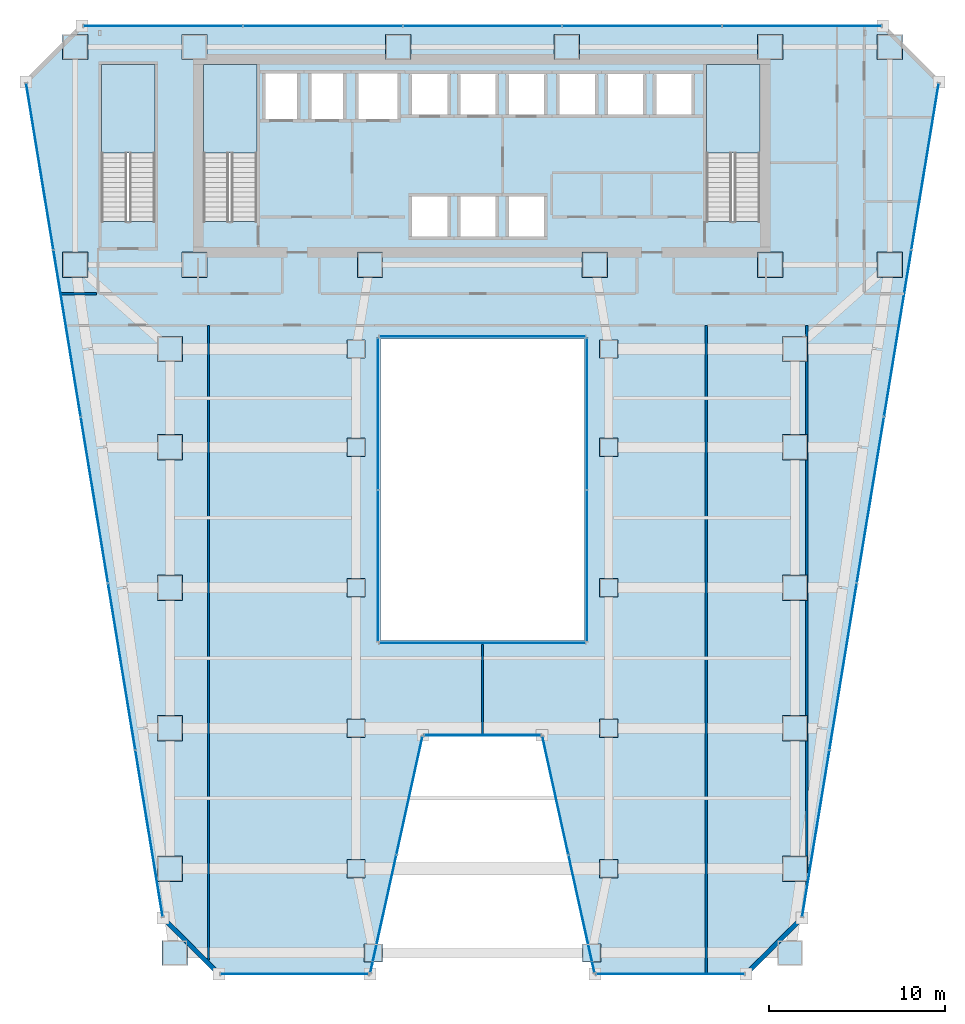
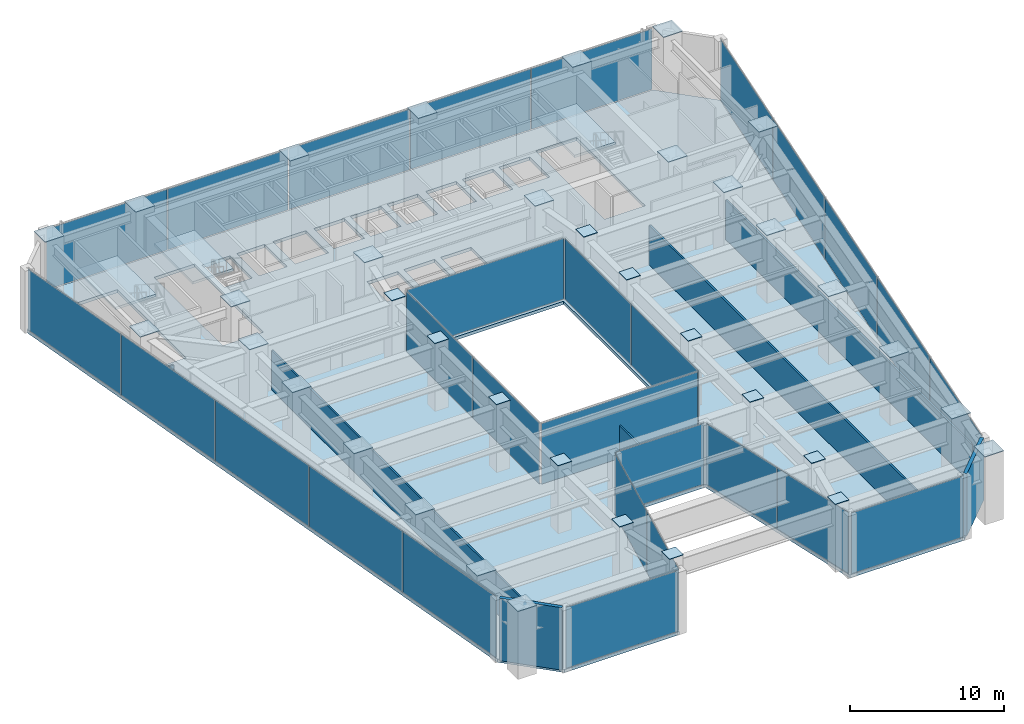
# One storey, part 36 of 42: 64 plates, 7 walls, 4 slabs, 15 elements without a shape of their own.
"""IFC4 building model written with IfcOpenShell, lengths in metres."""

from ifc_helpers import new_model, si_unit, direction, frame, frame_2d, origin, origin_2d, place, context, subcontext, project, spatial, polyline, rectangle, outline, extrude, material, layer, layer_set, type_object, element, aggregate, save


model = new_model("IFC4")

# Units and contexts
model_context = context("Model", 3, precision=1e-05, world=origin(), true_north=direction((0.0, 1.0)))
body_context = subcontext(model_context, "Body", "Model", "MODEL_VIEW")
ifc_project = project(units=[si_unit("LENGTHUNIT", "METRE"), si_unit("AREAUNIT", "SQUARE_METRE"), si_unit("VOLUMEUNIT", "CUBIC_METRE"), si_unit("PLANEANGLEUNIT", "RADIAN"), si_unit("MASSUNIT", "GRAM", prefix="KILO")], contexts=[model_context])

# Site, building, storey
site_placement = place(None, origin())
site = spatial("IfcSite", under=ifc_project, at=site_placement, CompositionType="ELEMENT")
building_placement = place(site_placement, origin())
building = spatial("IfcBuilding", under=site, at=building_placement, Name="Saevonmaru Cultural Tower", CompositionType="ELEMENT")
storey_placement = place(building_placement, frame((0.0, 0.0, 33.0)))
storey = spatial("IfcBuildingStorey", under=building, at=storey_placement, Name="L06", CompositionType="ELEMENT", Elevation=33.0)

# Plates
ifc_material_1 = material(Name="Steel HSA600 (600 MPa)", Category="steel")
ifc_layer_1 = layer(ifc_material_1, 0.0400390625, Name="Steel HSA600 (600 MPa)")
ifc_layer_set_1 = layer_set([ifc_layer_1], Name="Steel HSA600 (600 MPa)")
plate_type_1 = type_object("IfcPlateType", Name="PL-CAP-1000", PredefinedType="USERDEFINED", material=ifc_layer_set_1)
for number, where, z_axis, x_axis, name in (
    (1, (36.219970703125, 3.199951171875, 5.39501953125), (0.0, 0.0, 1.0), (1.0, 0.0, 0.0), "Column head cap plate PC-E2-A L06"),
    (2, (37.199951171875, 8.0, 5.39501953125), (0.0, 0.0, 1.0), (1.0, 0.0, 0.0), "Column head cap plate PC-E2-B L06"),
    (3, (37.199951171875, 16.0, 5.39501953125), (0.0, 0.0, 1.0), (1.0, 0.0, 0.0), "Column head cap plate PC-E2-C L06"),
    (4, (37.199951171875, 24.0, 5.39501953125), (0.0, 0.0, 1.0), (1.0, 0.0, 0.0), "Column head cap plate PC-E2-D L06"),
    (5, (37.199951171875, 32.0, 5.39501953125), (0.0, 0.0, 1.0), (1.0, 0.0, 0.0), "Column head cap plate PC-E2-E L06"),
    (6, (37.199951171875, 37.60009765625, 5.39501953125), (0.0, 0.0, 1.0), (1.0, 0.0, 0.0), "Column head cap plate PC-E2-F L06"),
    (7, (23.780029296875, 3.199951171875, 5.39501953125), (0.0, 0.0, 1.0), (1.0, 0.0, 0.0), "Column head cap plate PC-W2-A L06"),
    (8, (22.800048828125, 8.0, 5.39501953125), (0.0, 0.0, 1.0), (1.0, 0.0, 0.0), "Column head cap plate PC-W2-B L06"),
    (9, (22.800048828125, 16.0, 5.39501953125), (0.0, 0.0, 1.0), (1.0, 0.0, 0.0), "Column head cap plate PC-W2-C L06"),
    (10, (22.800048828125, 24.0, 5.39501953125), (0.0, 0.0, 1.0), (1.0, 0.0, 0.0), "Column head cap plate PC-W2-D L06"),
    (11, (22.800048828125, 32.0, 5.39501953125), (0.0, 0.0, 1.0), (1.0, 0.0, 0.0), "Column head cap plate PC-W2-E L06"),
    (12, (22.800048828125, 37.60009765625, 5.39501953125), (0.0, 0.0, 1.0), (1.0, 0.0, 0.0), "Column head cap plate PC-W2-F L06"),
):
    element("IfcPlate", number, at=place(storey_placement, frame(where, z_axis=z_axis, x_axis=x_axis)), inside=storey, type_object=plate_type_1, Name=name, ObjectType="CAP_PLATE", PredefinedType="USERDEFINED", context=body_context, shape_type="SweptSolid", body=[
        extrude(rectangle(XDim=1.0400390625, YDim=1.0400390625, at=origin_2d()), origin(), (0.0, 0.0, 1.0), 0.0400390625),
    ])
ifc_layer_2 = layer(ifc_material_1, 0.0400390625, Name="Steel HSA600 (600 MPa)")
ifc_layer_set_2 = layer_set([ifc_layer_2], Name="Steel HSA600 (600 MPa)")
plate_type_2 = type_object("IfcPlateType", Name="PL-CAP-1400", PredefinedType="USERDEFINED", material=ifc_layer_set_2)
for number, where, z_axis, x_axis, name in (
    (13, (47.52001953125, 3.199951171875, 5.39501953125), (0.0, 0.0, 1.0), (1.0, 0.0, 0.0), "Column head cap plate PC-E1-A L06"),
    (14, (47.800048828125, 8.0, 5.39501953125), (0.0, 0.0, 1.0), (1.0, 0.0, 0.0), "Column head cap plate PC-E1-B L06"),
    (15, (47.800048828125, 16.0, 5.39501953125), (0.0, 0.0, 1.0), (1.0, 0.0, 0.0), "Column head cap plate PC-E1-C L06"),
    (16, (47.800048828125, 24.0, 5.39501953125), (0.0, 0.0, 1.0), (1.0, 0.0, 0.0), "Column head cap plate PC-E1-D L06"),
    (17, (47.800048828125, 32.0, 5.39501953125), (0.0, 0.0, 1.0), (1.0, 0.0, 0.0), "Column head cap plate PC-E1-E L06"),
    (18, (47.800048828125, 37.60009765625, 5.39501953125), (0.0, 0.0, 1.0), (1.0, 0.0, 0.0), "Column head cap plate PC-E1-F L06"),
    (19, (12.47998046875, 3.199951171875, 5.39501953125), (0.0, 0.0, 1.0), (1.0, 0.0, 0.0), "Column head cap plate PC-W1-A L06"),
    (20, (12.199951171875, 8.0, 5.39501953125), (0.0, 0.0, 1.0), (1.0, 0.0, 0.0), "Column head cap plate PC-W1-B L06"),
    (21, (12.199951171875, 16.0, 5.39501953125), (0.0, 0.0, 1.0), (1.0, 0.0, 0.0), "Column head cap plate PC-W1-C L06"),
    (22, (12.199951171875, 24.0, 5.39501953125), (0.0, 0.0, 1.0), (1.0, 0.0, 0.0), "Column head cap plate PC-W1-D L06"),
    (23, (12.199951171875, 32.0, 5.39501953125), (0.0, 0.0, 1.0), (1.0, 0.0, 0.0), "Column head cap plate PC-W1-E L06"),
    (24, (12.199951171875, 37.60009765625, 5.39501953125), (0.0, 0.0, 1.0), (1.0, 0.0, 0.0), "Column head cap plate PC-W1-F L06"),
    (25, (6.800048828125, 54.800048828125, 5.39501953125), (0.0, 0.0, 1.0), (1.0, 0.0, 0.0), "Column head cap plate TC-N1N L06"),
    (26, (13.60009765625, 54.800048828125, 5.39501953125), (0.0, 0.0, 1.0), (1.0, 0.0, 0.0), "Column head cap plate TC-N2N L06"),
    (27, (25.199951171875, 54.800048828125, 5.39501953125), (0.0, 0.0, 1.0), (1.0, 0.0, 0.0), "Column head cap plate TC-N3N L06"),
    (28, (34.800048828125, 54.800048828125, 5.39501953125), (0.0, 0.0, 1.0), (1.0, 0.0, 0.0), "Column head cap plate TC-N4N L06"),
    (29, (46.39990234375, 54.800048828125, 5.39501953125), (0.0, 0.0, 1.0), (1.0, 0.0, 0.0), "Column head cap plate TC-N5N L06"),
    (30, (53.199951171875, 54.800048828125, 5.39501953125), (0.0, 0.0, 1.0), (1.0, 0.0, 0.0), "Column head cap plate TC-N6N L06"),
    (31, (6.800048828125, 42.39990234375, 5.39501953125), (0.0, 0.0, 1.0), (1.0, 0.0, 0.0), "Column head cap plate TC-S1C L06"),
    (32, (13.60009765625, 42.39990234375, 5.39501953125), (0.0, 0.0, 1.0), (1.0, 0.0, 0.0), "Column head cap plate TC-S2C L06"),
    (33, (23.60009765625, 42.39990234375, 5.39501953125), (0.0, 0.0, 1.0), (1.0, 0.0, 0.0), "Column head cap plate TC-S3C L06"),
    (34, (36.39990234375, 42.39990234375, 5.39501953125), (0.0, 0.0, 1.0), (1.0, 0.0, 0.0), "Column head cap plate TC-S4C L06"),
    (35, (46.39990234375, 42.39990234375, 5.39501953125), (0.0, 0.0, 1.0), (1.0, 0.0, 0.0), "Column head cap plate TC-S5C L06"),
    (36, (53.199951171875, 42.39990234375, 5.39501953125), (0.0, 0.0, 1.0), (1.0, 0.0, 0.0), "Column head cap plate TC-S6C L06"),
):
    element("IfcPlate", number, at=place(storey_placement, frame(where, z_axis=z_axis, x_axis=x_axis)), inside=storey, type_object=plate_type_2, Name=name, ObjectType="CAP_PLATE", PredefinedType="USERDEFINED", context=body_context, shape_type="SweptSolid", body=[
        extrude(rectangle(XDim=1.43994140625, YDim=1.43994140625, at=origin_2d()), origin(), (0.0, 0.0, 1.0), 0.0400390625),
    ])

# Curtain wall, plate
ifc_material_2 = material(Name="Satin Bronze Anodised Aluminium", Category="aluminium")
curtain_wall_type_1 = type_object("IfcCurtainWallType", Name="CW-ATR-GLZ", PredefinedType="NOTDEFINED", material=ifc_material_2)
curtain_wall_1_placement = place(storey_placement, origin())
curtain_wall_1 = element("IfcCurtainWall", 37, at=curtain_wall_1_placement, inside=storey, type_object=curtain_wall_type_1, Name="L06 Vertical Atrium Glazed Smoke Screen 1", PredefinedType="NOTDEFINED")
ifc_material_3 = material(Name="Fire-Rated Laminated Atrium Glass", Category="glass")
ifc_layer_3 = layer(ifc_material_3, 0.031982421875, Name="Fire-Rated Laminated Atrium Glass")
ifc_layer_set_3 = layer_set([ifc_layer_3], Name="Fire-Rated Laminated Atrium Glass")
plate_type_3 = type_object("IfcPlateType", Name="PN-GLZ-ATR-INT", PredefinedType="CURTAIN_PANEL", material=ifc_layer_set_3)
plate_1_placement = place(storey_placement, frame((30.0, 20.85009765625, 0.067138671875), z_axis=(0.0, 0.0, 1.0), x_axis=(1.0, 0.0, 0.0)))
plate_1 = element("IfcPlate", 38, at=plate_1_placement, type_object=plate_type_3, Name="CW-ATR-L06-1 panel 1.1", PredefinedType="CURTAIN_PANEL", context=body_context, shape_type="SweptSolid", body=[
    extrude(rectangle(XDim=11.7109375, YDim=0.031982421875, at=origin_2d()), origin(), (0.0, 0.0, 1.0), 4.81591796875),
])
aggregate(curtain_wall_1, [plate_1])

# Curtain wall, plates
curtain_wall_2_placement = place(storey_placement, origin())
curtain_wall_2 = element("IfcCurtainWall", 39, at=curtain_wall_2_placement, inside=storey, type_object=curtain_wall_type_1, Name="L06 Vertical Atrium Glazed Smoke Screen 2", PredefinedType="NOTDEFINED")
plate_2_placement = place(storey_placement, frame((35.949951171875, 25.2451171875, 0.067138671875), z_axis=(0.0, 0.0, 1.0), x_axis=(0.0, 1.0, 0.0)))
plate_2 = element("IfcPlate", 40, at=plate_2_placement, type_object=plate_type_3, Name="CW-ATR-L06-2 panel 1.1", PredefinedType="CURTAIN_PANEL", context=body_context, shape_type="SweptSolid", body=[
    extrude(rectangle(XDim=8.60107421875, YDim=0.031982421875, at=origin_2d()), origin(), (0.0, 0.0, 1.0), 4.81591796875),
])
plate_3_placement = place(storey_placement, frame((35.949951171875, 33.9150390625, 0.067138671875), z_axis=(0.0, 0.0, 1.0), x_axis=(0.0, 1.0, 0.0)))
plate_3 = element("IfcPlate", 41, at=plate_3_placement, type_object=plate_type_3, Name="CW-ATR-L06-2 panel 2.1", PredefinedType="CURTAIN_PANEL", context=body_context, shape_type="SweptSolid", body=[
    extrude(rectangle(XDim=8.60107421875, YDim=0.031982421875, at=origin_2d()), origin(), (0.0, 0.0, 1.0), 4.81591796875),
])
aggregate(curtain_wall_2, [plate_2, plate_3])

# Curtain wall, plate
curtain_wall_3_placement = place(storey_placement, origin())
curtain_wall_3 = element("IfcCurtainWall", 42, at=curtain_wall_3_placement, inside=storey, type_object=curtain_wall_type_1, Name="L06 Vertical Atrium Glazed Smoke Screen 3", PredefinedType="NOTDEFINED")
plate_4_placement = place(storey_placement, frame((30.0, 38.31005859375, 0.067138671875), z_axis=(0.0, 0.0, 1.0), x_axis=(-1.0, 0.0, 0.0)))
plate_4 = element("IfcPlate", 43, at=plate_4_placement, type_object=plate_type_3, Name="CW-ATR-L06-3 panel 1.1", PredefinedType="CURTAIN_PANEL", context=body_context, shape_type="SweptSolid", body=[
    extrude(rectangle(XDim=11.7109375, YDim=0.031982421875, at=origin_2d()), origin(), (0.0, 0.0, 1.0), 4.81591796875),
])
aggregate(curtain_wall_3, [plate_4])

# Curtain wall, plates
curtain_wall_4_placement = place(storey_placement, origin())
curtain_wall_4 = element("IfcCurtainWall", 44, at=curtain_wall_4_placement, inside=storey, type_object=curtain_wall_type_1, Name="L06 Vertical Atrium Glazed Smoke Screen 4", PredefinedType="NOTDEFINED")
plate_5_placement = place(storey_placement, frame((24.050048828125, 33.9150390625, 0.067138671875), z_axis=(0.0, 0.0, 1.0), x_axis=(0.0, -1.0, 0.0)))
plate_5 = element("IfcPlate", 45, at=plate_5_placement, type_object=plate_type_3, Name="CW-ATR-L06-4 panel 1.1", PredefinedType="CURTAIN_PANEL", context=body_context, shape_type="SweptSolid", body=[
    extrude(rectangle(XDim=8.60107421875, YDim=0.031982421875, at=origin_2d()), origin(), (0.0, 0.0, 1.0), 4.81591796875),
])
plate_6_placement = place(storey_placement, frame((24.050048828125, 25.2451171875, 0.067138671875), z_axis=(0.0, 0.0, 1.0), x_axis=(0.0, -1.0, 0.0)))
plate_6 = element("IfcPlate", 46, at=plate_6_placement, type_object=plate_type_3, Name="CW-ATR-L06-4 panel 2.1", PredefinedType="CURTAIN_PANEL", context=body_context, shape_type="SweptSolid", body=[
    extrude(rectangle(XDim=8.60107421875, YDim=0.031982421875, at=origin_2d()), origin(), (0.0, 0.0, 1.0), 4.81591796875),
])
aggregate(curtain_wall_4, [plate_5, plate_6])

# Curtain wall, plate
curtain_wall_type_2 = type_object("IfcCurtainWallType", Name="CW-SKY-GLZ", PredefinedType="NOTDEFINED", material=ifc_material_2)
curtain_wall_5_placement = place(storey_placement, origin())
curtain_wall_5 = element("IfcCurtainWall", 47, at=curtain_wall_5_placement, inside=storey, type_object=curtain_wall_type_2, Name="L06 Unitised Curtain Wall E2", PredefinedType="NOTDEFINED")
ifc_material_4 = material(Name="Triple Silver Low-E Insulating Glass", Category="glass")
ifc_layer_4 = layer(ifc_material_4, 0.035888671875, Name="Triple Silver Low-E Insulating Glass")
ifc_layer_set_4 = layer_set([ifc_layer_4], Name="Triple Silver Low-E Insulating Glass")
plate_type_4 = type_object("IfcPlateType", Name="PN-GLZ-IGU", PredefinedType="CURTAIN_PANEL", material=ifc_layer_set_4)
plate_7_placement = place(storey_placement, frame((19.300048828125, 2.0, 0.067138671875), z_axis=(0.0, 0.0, 1.0), x_axis=(1.0, 0.0, 0.0)))
plate_7 = element("IfcPlate", 48, at=plate_7_placement, type_object=plate_type_4, Name="CW-TW-L06-E2 panel 1.1", PredefinedType="CURTAIN_PANEL", context=body_context, shape_type="SweptSolid", body=[
    extrude(rectangle(XDim=8.410888671875, YDim=0.035888671875, at=origin_2d()), origin(), (0.0, 0.0, 1.0), 4.81591796875),
])
aggregate(curtain_wall_5, [plate_7])

# Curtain wall, plates
curtain_wall_6_placement = place(storey_placement, origin())
curtain_wall_6 = element("IfcCurtainWall", 49, at=curtain_wall_6_placement, inside=storey, type_object=curtain_wall_type_2, Name="L06 Unitised Curtain Wall E3", PredefinedType="NOTDEFINED")
plate_8_placement = place(storey_placement, frame((24.3564453125, 5.42919921875, 0.067138671875), z_axis=(0.0, 0.0, 1.0), x_axis=(0.215413319953, 0.976522965212, 0.0)))
plate_8 = element("IfcPlate", 50, at=plate_8_placement, type_object=plate_type_4, Name="CW-TW-L06-E3 panel 1.1", PredefinedType="CURTAIN_PANEL", context=body_context, shape_type="SweptSolid", body=[
    extrude(rectangle(XDim=6.83447265625, YDim=0.035888671875, at=origin_2d()), origin(), (0.0, 0.0, 1.0), 4.81591796875),
])
plate_9_placement = place(storey_placement, frame((25.843505859375, 12.170654296875, 0.067138671875), z_axis=(0.0, 0.0, 1.0), x_axis=(0.215413319953, 0.976522965212, 0.0)))
plate_9 = element("IfcPlate", 51, at=plate_9_placement, type_object=plate_type_4, Name="CW-TW-L06-E3 panel 2.1", PredefinedType="CURTAIN_PANEL", context=body_context, shape_type="SweptSolid", body=[
    extrude(rectangle(XDim=6.83447265625, YDim=0.035888671875, at=origin_2d()), origin(), (0.0, 0.0, 1.0), 4.81591796875),
])
aggregate(curtain_wall_6, [plate_8, plate_9])

# Curtain wall, plate
curtain_wall_7_placement = place(storey_placement, origin())
curtain_wall_7 = element("IfcCurtainWall", 52, at=curtain_wall_7_placement, inside=storey, type_object=curtain_wall_type_2, Name="L06 Unitised Curtain Wall E4", PredefinedType="NOTDEFINED")
plate_10_placement = place(storey_placement, frame((30.0, 15.60009765625, 0.067138671875), z_axis=(0.0, 0.0, 1.0), x_axis=(1.0, 0.0, 0.0)))
plate_10 = element("IfcPlate", 53, at=plate_10_placement, type_object=plate_type_4, Name="CW-TW-L06-E4 panel 1.1", PredefinedType="CURTAIN_PANEL", context=body_context, shape_type="SweptSolid", body=[
    extrude(rectangle(XDim=6.611083984375, YDim=0.035888671875, at=origin_2d()), origin(), (0.0, 0.0, 1.0), 4.81591796875),
])
aggregate(curtain_wall_7, [plate_10])

# Curtain wall, plates
curtain_wall_8_placement = place(storey_placement, origin())
curtain_wall_8 = element("IfcCurtainWall", 54, at=curtain_wall_8_placement, inside=storey, type_object=curtain_wall_type_2, Name="L06 Unitised Curtain Wall E5", PredefinedType="NOTDEFINED")
plate_11_placement = place(storey_placement, frame((34.156494140625, 12.170654296875, 0.067138671875), z_axis=(0.0, 0.0, 1.0), x_axis=(0.215413319953, -0.976522965212, 0.0)))
plate_11 = element("IfcPlate", 55, at=plate_11_placement, type_object=plate_type_4, Name="CW-TW-L06-E5 panel 1.1", PredefinedType="CURTAIN_PANEL", context=body_context, shape_type="SweptSolid", body=[
    extrude(rectangle(XDim=6.83447265625, YDim=0.035888671875, at=origin_2d()), origin(), (0.0, 0.0, 1.0), 4.81591796875),
])
plate_12_placement = place(storey_placement, frame((35.6435546875, 5.42919921875, 0.067138671875), z_axis=(0.0, 0.0, 1.0), x_axis=(0.215413319953, -0.976522965212, 0.0)))
plate_12 = element("IfcPlate", 56, at=plate_12_placement, type_object=plate_type_4, Name="CW-TW-L06-E5 panel 2.1", PredefinedType="CURTAIN_PANEL", context=body_context, shape_type="SweptSolid", body=[
    extrude(rectangle(XDim=6.83447265625, YDim=0.035888671875, at=origin_2d()), origin(), (0.0, 0.0, 1.0), 4.81591796875),
])
aggregate(curtain_wall_8, [plate_11, plate_12])

# Curtain wall, plate
curtain_wall_9_placement = place(storey_placement, origin())
curtain_wall_9 = element("IfcCurtainWall", 57, at=curtain_wall_9_placement, inside=storey, type_object=curtain_wall_type_2, Name="L06 Unitised Curtain Wall E6", PredefinedType="NOTDEFINED")
plate_13_placement = place(storey_placement, frame((40.699951171875, 2.0, 0.067138671875), z_axis=(0.0, 0.0, 1.0), x_axis=(1.0, 0.0, 0.0)))
plate_13 = element("IfcPlate", 58, at=plate_13_placement, type_object=plate_type_4, Name="CW-TW-L06-E6 panel 1.1", PredefinedType="CURTAIN_PANEL", context=body_context, shape_type="SweptSolid", body=[
    extrude(rectangle(XDim=8.410888671875, YDim=0.035888671875, at=origin_2d()), origin(), (0.0, 0.0, 1.0), 4.81591796875),
])
aggregate(curtain_wall_9, [plate_13])

# Curtain wall, plates
curtain_wall_10_placement = place(storey_placement, origin())
curtain_wall_10 = element("IfcCurtainWall", 59, at=curtain_wall_10_placement, inside=storey, type_object=curtain_wall_type_2, Name="L06 Unitised Curtain Wall E8", PredefinedType="NOTDEFINED")
plate_14_placement = place(storey_placement, frame((48.98779296875, 10.00732421875, 0.067138671875), z_axis=(0.0, 0.0, 1.0), x_axis=(0.161708868641, 0.986838508472, 0.0)))
plate_14 = element("IfcPlate", 60, at=plate_14_placement, type_object=plate_type_4, Name="CW-TW-L06-E8 panel 1.1", PredefinedType="CURTAIN_PANEL", context=body_context, shape_type="SweptSolid", body=[
    extrude(rectangle(XDim=9.553955078125, YDim=0.035888671875, at=origin_2d()), origin(), (0.0, 0.0, 1.0), 4.81591796875),
])
plate_15_placement = place(storey_placement, frame((50.5439453125, 19.503662109375, 0.067138671875), z_axis=(0.0, 0.0, 1.0), x_axis=(0.161708868641, 0.986838508472, 0.0)))
plate_15 = element("IfcPlate", 61, at=plate_15_placement, type_object=plate_type_4, Name="CW-TW-L06-E8 panel 2.1", PredefinedType="CURTAIN_PANEL", context=body_context, shape_type="SweptSolid", body=[
    extrude(rectangle(XDim=9.553955078125, YDim=0.035888671875, at=origin_2d()), origin(), (0.0, 0.0, 1.0), 4.81591796875),
])
plate_16_placement = place(storey_placement, frame((52.10009765625, 29.0, 0.067138671875), z_axis=(0.0, 0.0, 1.0), x_axis=(0.161708868641, 0.986838508472, 0.0)))
plate_16 = element("IfcPlate", 62, at=plate_16_placement, type_object=plate_type_4, Name="CW-TW-L06-E8 panel 3.1", PredefinedType="CURTAIN_PANEL", context=body_context, shape_type="SweptSolid", body=[
    extrude(rectangle(XDim=9.553955078125, YDim=0.035888671875, at=origin_2d()), origin(), (0.0, 0.0, 1.0), 4.81591796875),
])
plate_17_placement = place(storey_placement, frame((53.656005859375, 38.496337890625, 0.067138671875), z_axis=(0.0, 0.0, 1.0), x_axis=(0.161708868641, 0.986838508472, 0.0)))
plate_17 = element("IfcPlate", 63, at=plate_17_placement, type_object=plate_type_4, Name="CW-TW-L06-E8 panel 4.1", PredefinedType="CURTAIN_PANEL", context=body_context, shape_type="SweptSolid", body=[
    extrude(rectangle(XDim=9.553955078125, YDim=0.035888671875, at=origin_2d()), origin(), (0.0, 0.0, 1.0), 4.81591796875),
])
plate_18_placement = place(storey_placement, frame((55.212158203125, 47.99267578125, 0.067138671875), z_axis=(0.0, 0.0, 1.0), x_axis=(0.161708868641, 0.986838508472, 0.0)))
plate_18 = element("IfcPlate", 64, at=plate_18_placement, type_object=plate_type_4, Name="CW-TW-L06-E8 panel 5.1", PredefinedType="CURTAIN_PANEL", context=body_context, shape_type="SweptSolid", body=[
    extrude(rectangle(XDim=9.553955078125, YDim=0.035888671875, at=origin_2d()), origin(), (0.0, 0.0, 1.0), 4.81591796875),
])
aggregate(curtain_wall_10, [plate_14, plate_15, plate_16, plate_17, plate_18])

curtain_wall_11_placement = place(storey_placement, origin())
curtain_wall_11 = element("IfcCurtainWall", 65, at=curtain_wall_11_placement, inside=storey, type_object=curtain_wall_type_2, Name="L06 Unitised Curtain Wall E10", PredefinedType="NOTDEFINED")
plate_19_placement = place(storey_placement, frame((48.19189453125, 56.0, 0.067138671875), z_axis=(0.0, 0.0, 1.0), x_axis=(-1.0, 0.0, 0.0)))
plate_19 = element("IfcPlate", 66, at=plate_19_placement, type_object=plate_type_4, Name="CW-TW-L06-E10 panel 1.1", PredefinedType="CURTAIN_PANEL", context=body_context, shape_type="SweptSolid", body=[
    extrude(rectangle(XDim=9.027099609375, YDim=0.035888671875, at=origin_2d()), origin(), (0.0, 0.0, 1.0), 4.81591796875),
])
plate_20_placement = place(storey_placement, frame((39.095947265625, 56.0, 0.067138671875), z_axis=(0.0, 0.0, 1.0), x_axis=(-1.0, 0.0, 0.0)))
plate_20 = element("IfcPlate", 67, at=plate_20_placement, type_object=plate_type_4, Name="CW-TW-L06-E10 panel 2.1", PredefinedType="CURTAIN_PANEL", context=body_context, shape_type="SweptSolid", body=[
    extrude(rectangle(XDim=9.027099609375, YDim=0.035888671875, at=origin_2d()), origin(), (0.0, 0.0, 1.0), 4.81591796875),
])
plate_21_placement = place(storey_placement, frame((30.0, 56.0, 0.067138671875), z_axis=(0.0, 0.0, 1.0), x_axis=(-1.0, 0.0, 0.0)))
plate_21 = element("IfcPlate", 68, at=plate_21_placement, type_object=plate_type_4, Name="CW-TW-L06-E10 panel 3.1", PredefinedType="CURTAIN_PANEL", context=body_context, shape_type="SweptSolid", body=[
    extrude(rectangle(XDim=9.027099609375, YDim=0.035888671875, at=origin_2d()), origin(), (0.0, 0.0, 1.0), 4.81591796875),
])
plate_22_placement = place(storey_placement, frame((20.904052734375, 56.0, 0.067138671875), z_axis=(0.0, 0.0, 1.0), x_axis=(-1.0, 0.0, 0.0)))
plate_22 = element("IfcPlate", 69, at=plate_22_placement, type_object=plate_type_4, Name="CW-TW-L06-E10 panel 4.1", PredefinedType="CURTAIN_PANEL", context=body_context, shape_type="SweptSolid", body=[
    extrude(rectangle(XDim=9.027099609375, YDim=0.035888671875, at=origin_2d()), origin(), (0.0, 0.0, 1.0), 4.81591796875),
])
plate_23_placement = place(storey_placement, frame((11.80810546875, 56.0, 0.067138671875), z_axis=(0.0, 0.0, 1.0), x_axis=(-1.0, 0.0, 0.0)))
plate_23 = element("IfcPlate", 70, at=plate_23_placement, type_object=plate_type_4, Name="CW-TW-L06-E10 panel 5.1", PredefinedType="CURTAIN_PANEL", context=body_context, shape_type="SweptSolid", body=[
    extrude(rectangle(XDim=9.027099609375, YDim=0.035888671875, at=origin_2d()), origin(), (0.0, 0.0, 1.0), 4.81591796875),
])
aggregate(curtain_wall_11, [plate_19, plate_20, plate_21, plate_22, plate_23])

curtain_wall_12_placement = place(storey_placement, origin())
curtain_wall_12 = element("IfcCurtainWall", 71, at=curtain_wall_12_placement, inside=storey, type_object=curtain_wall_type_2, Name="L06 Unitised Curtain Wall E12", PredefinedType="NOTDEFINED")
plate_24_placement = place(storey_placement, frame((4.787841796875, 47.99267578125, 0.067138671875), z_axis=(0.0, 0.0, 1.0), x_axis=(0.161708868641, -0.986838508472, 0.0)))
plate_24 = element("IfcPlate", 72, at=plate_24_placement, type_object=plate_type_4, Name="CW-TW-L06-E12 panel 1.1", PredefinedType="CURTAIN_PANEL", context=body_context, shape_type="SweptSolid", body=[
    extrude(rectangle(XDim=9.553955078125, YDim=0.035888671875, at=origin_2d()), origin(), (0.0, 0.0, 1.0), 4.81591796875),
])
plate_25_placement = place(storey_placement, frame((6.343994140625, 38.496337890625, 0.067138671875), z_axis=(0.0, 0.0, 1.0), x_axis=(0.161708868641, -0.986838508472, 0.0)))
plate_25 = element("IfcPlate", 73, at=plate_25_placement, type_object=plate_type_4, Name="CW-TW-L06-E12 panel 2.1", PredefinedType="CURTAIN_PANEL", context=body_context, shape_type="SweptSolid", body=[
    extrude(rectangle(XDim=9.553955078125, YDim=0.035888671875, at=origin_2d()), origin(), (0.0, 0.0, 1.0), 4.81591796875),
])
plate_26_placement = place(storey_placement, frame((7.89990234375, 29.0, 0.067138671875), z_axis=(0.0, 0.0, 1.0), x_axis=(0.161708868641, -0.986838508472, 0.0)))
plate_26 = element("IfcPlate", 74, at=plate_26_placement, type_object=plate_type_4, Name="CW-TW-L06-E12 panel 3.1", PredefinedType="CURTAIN_PANEL", context=body_context, shape_type="SweptSolid", body=[
    extrude(rectangle(XDim=9.553955078125, YDim=0.035888671875, at=origin_2d()), origin(), (0.0, 0.0, 1.0), 4.81591796875),
])
plate_27_placement = place(storey_placement, frame((9.4560546875, 19.503662109375, 0.067138671875), z_axis=(0.0, 0.0, 1.0), x_axis=(0.161708868641, -0.986838508472, 0.0)))
plate_27 = element("IfcPlate", 75, at=plate_27_placement, type_object=plate_type_4, Name="CW-TW-L06-E12 panel 4.1", PredefinedType="CURTAIN_PANEL", context=body_context, shape_type="SweptSolid", body=[
    extrude(rectangle(XDim=9.553955078125, YDim=0.035888671875, at=origin_2d()), origin(), (0.0, 0.0, 1.0), 4.81591796875),
])
plate_28_placement = place(storey_placement, frame((11.01220703125, 10.00732421875, 0.067138671875), z_axis=(0.0, 0.0, 1.0), x_axis=(0.161708868641, -0.986838508472, 0.0)))
plate_28 = element("IfcPlate", 76, at=plate_28_placement, type_object=plate_type_4, Name="CW-TW-L06-E12 panel 5.1", PredefinedType="CURTAIN_PANEL", context=body_context, shape_type="SweptSolid", body=[
    extrude(rectangle(XDim=9.553955078125, YDim=0.035888671875, at=origin_2d()), origin(), (0.0, 0.0, 1.0), 4.81591796875),
])
aggregate(curtain_wall_12, [plate_24, plate_25, plate_26, plate_27, plate_28])

# Slab
ifc_material_5 = material(Name="Concrete C40/50", Category="concrete")
ifc_layer_5 = layer(ifc_material_5, 0.25, Name="Concrete C40/50")
ifc_layer_set_5 = layer_set([ifc_layer_5], Name="Concrete C40/50")
slab_type_1 = type_object("IfcSlabType", Name="SL-FLR-250", PredefinedType="FLOOR", material=ifc_layer_set_5)
slab_1_placement = place(storey_placement, frame((0.0, 0.0, -0.25)))
element("IfcSlab", 77, at=slab_1_placement, inside=storey, type_object=slab_type_1, Name="L06 Tower Structural Floor Slab", PredefinedType="FLOOR", context=body_context, shape_type="SweptSolid", body=[
    extrude(outline(polyline([(11.800048828125, 5.199951171875), (15.0, 2.0), (23.60009765625, 2.0), (26.60009765625, 15.60009765625), (33.39990234375, 15.60009765625), (36.39990234375, 2.0), (45.0, 2.0), (48.199951171875, 5.199951171875), (56.0, 52.800048828125), (52.800048828125, 56.0), (7.199951171875, 56.0), (4.0, 52.800048828125), (11.800048828125, 5.199951171875)]), holes=[polyline([(45.800048828125, 44.875), (42.75, 44.875), (42.75, 53.800048828125), (45.800048828125, 53.800048828125), (45.800048828125, 44.875)]), polyline([(39.75, 50.800048828125), (39.75, 53.39990234375), (42.050048828125, 53.39990234375), (42.050048828125, 50.800048828125), (39.75, 50.800048828125)]), polyline([(37.0, 50.800048828125), (37.0, 53.39990234375), (39.300048828125, 53.39990234375), (39.300048828125, 50.800048828125), (37.0, 50.800048828125)]), polyline([(34.25, 50.800048828125), (34.25, 53.39990234375), (36.550048828125, 53.39990234375), (36.550048828125, 50.800048828125), (34.25, 50.800048828125)]), polyline([(24.199951171875, 21.0), (24.199951171875, 38.159912109375), (35.800048828125, 38.159912109375), (35.800048828125, 21.0), (24.199951171875, 21.0)]), polyline([(31.35009765625, 50.800048828125), (31.35009765625, 53.39990234375), (33.64990234375, 53.39990234375), (33.64990234375, 50.800048828125), (31.35009765625, 50.800048828125)]), polyline([(31.35009765625, 43.85009765625), (31.35009765625, 46.449951171875), (33.64990234375, 46.449951171875), (33.64990234375, 43.85009765625), (31.35009765625, 43.85009765625)]), polyline([(28.60009765625, 43.85009765625), (28.60009765625, 46.449951171875), (30.89990234375, 46.449951171875), (30.89990234375, 43.85009765625), (28.60009765625, 43.85009765625)]), polyline([(28.60009765625, 50.800048828125), (28.60009765625, 53.39990234375), (30.89990234375, 53.39990234375), (30.89990234375, 50.800048828125), (28.60009765625, 50.800048828125)]), polyline([(25.85009765625, 50.800048828125), (25.85009765625, 53.39990234375), (28.14990234375, 53.39990234375), (28.14990234375, 50.800048828125), (25.85009765625, 50.800048828125)]), polyline([(25.85009765625, 43.85009765625), (25.85009765625, 46.449951171875), (28.14990234375, 46.449951171875), (28.14990234375, 43.85009765625), (25.85009765625, 43.85009765625)]), polyline([(22.800048828125, 50.550048828125), (22.800048828125, 53.449951171875), (25.300048828125, 53.449951171875), (25.300048828125, 50.550048828125), (22.800048828125, 50.550048828125)]), polyline([(20.10009765625, 50.550048828125), (20.10009765625, 53.449951171875), (22.199951171875, 53.449951171875), (22.199951171875, 50.550048828125), (20.10009765625, 50.550048828125)]), polyline([(17.5, 50.550048828125), (17.5, 53.449951171875), (19.60009765625, 53.449951171875), (19.60009765625, 50.550048828125), (17.5, 50.550048828125)]), polyline([(17.14990234375, 44.875), (14.10009765625, 44.875), (14.10009765625, 53.800048828125), (17.14990234375, 53.800048828125), (17.14990234375, 44.875)]), polyline([(11.35009765625, 44.875), (8.300048828125, 44.875), (8.300048828125, 53.800048828125), (11.35009765625, 53.800048828125), (11.35009765625, 44.875)])]), origin(), (0.0, 0.0, 1.0), 0.25),
])

# Stair, slab
stair_type = type_object("IfcStairType", Name="STR-DOGLEG-RC", PredefinedType="HALF_TURN_STAIR", material=ifc_material_5)
stair_1_placement = place(storey_placement, origin())
stair_1 = element("IfcStair", 78, at=stair_1_placement, inside=storey, type_object=stair_type, Name="L06 Protected exit stair ST-1", PredefinedType="HALF_TURN_STAIR")
ifc_layer_6 = layer(ifc_material_5, 0.199951171875, Name="Concrete C40/50")
ifc_layer_set_6 = layer_set([ifc_layer_6], Name="Concrete C40/50")
slab_type_2 = type_object("IfcSlabType", Name="SL-STAIR-LANDING", PredefinedType="LANDING", material=ifc_layer_set_6)
slab_2_placement = place(storey_placement, frame((0.0, 0.0, 2.5)))
slab_2 = element("IfcSlab", 79, at=slab_2_placement, type_object=slab_type_2, Name="ST-1-L06 landing 1", PredefinedType="LANDING", context=body_context, shape_type="SweptSolid", body=[
    extrude(outline(polyline([(17.14990234375, 48.77001953125), (17.14990234375, 53.800048828125), (14.10009765625, 53.800048828125), (14.10009765625, 48.77001953125), (17.14990234375, 48.77001953125)])), origin(), (0.0, 0.0, 1.0), 0.199951171875),
])
aggregate(stair_1, [slab_2])

stair_2_placement = place(storey_placement, origin())
stair_2 = element("IfcStair", 80, at=stair_2_placement, inside=storey, type_object=stair_type, Name="L06 Protected exit stair ST-2", PredefinedType="HALF_TURN_STAIR")
slab_3_placement = place(storey_placement, frame((0.0, 0.0, 2.5)))
slab_3 = element("IfcSlab", 81, at=slab_3_placement, type_object=slab_type_2, Name="ST-2-L06 landing 1", PredefinedType="LANDING", context=body_context, shape_type="SweptSolid", body=[
    extrude(outline(polyline([(45.800048828125, 48.77001953125), (45.800048828125, 53.800048828125), (42.75, 53.800048828125), (42.75, 48.77001953125), (45.800048828125, 48.77001953125)])), origin(), (0.0, 0.0, 1.0), 0.199951171875),
])
aggregate(stair_2, [slab_3])

stair_3_placement = place(storey_placement, origin())
stair_3 = element("IfcStair", 82, at=stair_3_placement, inside=storey, type_object=stair_type, Name="L06 Protected exit stair ST-3", PredefinedType="HALF_TURN_STAIR")
slab_4_placement = place(storey_placement, frame((0.0, 0.0, 2.5)))
slab_4 = element("IfcSlab", 83, at=slab_4_placement, type_object=slab_type_2, Name="ST-3-L06 landing 1", PredefinedType="LANDING", context=body_context, shape_type="SweptSolid", body=[
    extrude(outline(polyline([(11.35009765625, 48.77001953125), (11.35009765625, 53.800048828125), (8.300048828125, 53.800048828125), (8.300048828125, 48.77001953125), (11.35009765625, 48.77001953125)])), origin(), (0.0, 0.0, 1.0), 0.199951171875),
])
aggregate(stair_3, [slab_4])

# Walls
ifc_material_6 = material(Name="Granite-Clad Precast Concrete C40/50", Category="masonry")
ifc_layer_7 = layer(ifc_material_6, 0.260009765625, Name="Granite-Clad Precast Concrete C40/50")
ifc_layer_set_7 = layer_set([ifc_layer_7], Name="Granite-Clad Precast Concrete C40/50")
wall_type_1 = type_object("IfcWallType", Name="WL-EXT-SPANDREL-260", PredefinedType="STANDARD", material=ifc_layer_set_7)
for number, where, z_axis, x_axis, name in (
    (84, (11.9130859375, 5.0869140625, 0.0), (0.0, 0.0, 1.0), (0.707106781187, -0.707106781187, 0.0), "L06 Chamfer Corner Spandrel Wall E1"),
    (85, (45.113037109375, 2.113037109375, 0.0), (0.0, 0.0, 1.0), (0.707106781187, 0.707106781187, 0.0), "L06 Chamfer Corner Spandrel Wall E7"),
):
    element("IfcWall", number, at=place(storey_placement, frame(where, z_axis=z_axis, x_axis=x_axis)), inside=storey, type_object=wall_type_1, Name=name, PredefinedType="STANDARD", context=body_context, shape_type="SweptSolid", body=[
        extrude(rectangle(XDim=4.205810546875, YDim=0.260009765625, at=frame_2d((2.10302734375, 0.0))), origin(), (0.0, 0.0, 1.0), 4.949951171875),
    ])
ifc_material_7 = material(Name="Gypsum Fireboard Partition", Category="gypsum")
ifc_layer_8 = layer(ifc_material_7, 0.1201171875, Name="Gypsum Fireboard Partition")
ifc_layer_set_8 = layer_set([ifc_layer_8], Name="Gypsum Fireboard Partition")
wall_type_2 = type_object("IfcWallType", Name="WL-PART-GYP-120", PredefinedType="PARTITIONING", material=ifc_layer_set_8)
wall_1_placement = place(storey_placement, frame((5.9794921875, 40.75, 0.0), z_axis=(0.0, 0.0, 1.0), x_axis=(1.0, 0.0, 0.0)))
element("IfcWall", 86, at=wall_1_placement, inside=storey, type_object=wall_type_2, Name="L06 Archival Conservation Office Corridor Wall", PredefinedType="PARTITIONING", context=body_context, shape_type="SweptSolid", body=[
    extrude(rectangle(XDim=2.04052734375, YDim=0.1201171875, at=frame_2d((1.020263671875, 0.0))), origin(), (0.0, 0.0, 1.0), 3.135009765625),
])
wall_2_placement = place(storey_placement, frame((14.39990234375, 2.81201171875, 0.0), z_axis=(0.0, 0.0, 1.0), x_axis=(0.0, 1.0, 0.0)))
element("IfcWall", 87, at=wall_2_placement, inside=storey, type_object=wall_type_2, Name="L06 West Bay Divider 1", PredefinedType="PARTITIONING", context=body_context, shape_type="SweptSolid", body=[
    extrude(rectangle(XDim=36.137939453125, YDim=0.1201171875, at=frame_2d((18.06884765625, 0.0))), origin(), (0.0, 0.0, 1.0), 3.135009765625),
])
wall_3_placement = place(storey_placement, frame((30.0, 15.60498046875, 0.0), z_axis=(0.0, 0.0, 1.0), x_axis=(0.0, 1.0, 0.0)))
element("IfcWall", 88, at=wall_3_placement, inside=storey, type_object=wall_type_2, Name="L06 South Atrium Center Split", PredefinedType="PARTITIONING", context=body_context, shape_type="SweptSolid", body=[
    extrude(rectangle(XDim=5.175048828125, YDim=0.1201171875, at=frame_2d((2.58740234375, 0.0))), origin(), (0.0, 0.0, 1.0), 2.735107421875),
])
ifc_layer_9 = layer(ifc_material_7, 0.135009765625, Name="Gypsum Fireboard Partition")
ifc_layer_set_9 = layer_set([ifc_layer_9], Name="Gypsum Fireboard Partition")
wall_type_3 = type_object("IfcWallType", Name="WL-PART-GYP-135", PredefinedType="PARTITIONING", material=ifc_layer_set_9)
wall_4_placement = place(storey_placement, frame((42.739990234375, 2.0048828125, 0.0), z_axis=(0.0, 0.0, 1.0), x_axis=(0.0, 1.0, 0.0)))
element("IfcWall", 89, at=wall_4_placement, inside=storey, type_object=wall_type_3, Name="L06 East Bay Divider 1", PredefinedType="PARTITIONING", context=body_context, shape_type="SweptSolid", body=[
    extrude(rectangle(XDim=36.945068359375, YDim=0.135009765625, at=frame_2d((18.47265625, 0.0))), origin(), (0.0, 0.0, 1.0), 3.135009765625),
])
wall_5_placement = place(storey_placement, frame((48.469970703125, 6.878662109375, 0.0), z_axis=(0.0, 0.0, 1.0), x_axis=(0.0, 1.0, 0.0)))
element("IfcWall", 90, at=wall_5_placement, inside=storey, type_object=wall_type_3, Name="L06 East Bay Divider 2", PredefinedType="PARTITIONING", context=body_context, shape_type="SweptSolid", body=[
    extrude(rectangle(XDim=32.0712890625, YDim=0.135009765625, at=frame_2d((16.03564453125, 0.0))), origin(), (0.0, 0.0, 1.0), 3.135009765625),
])

save(model, "model.ifc")
